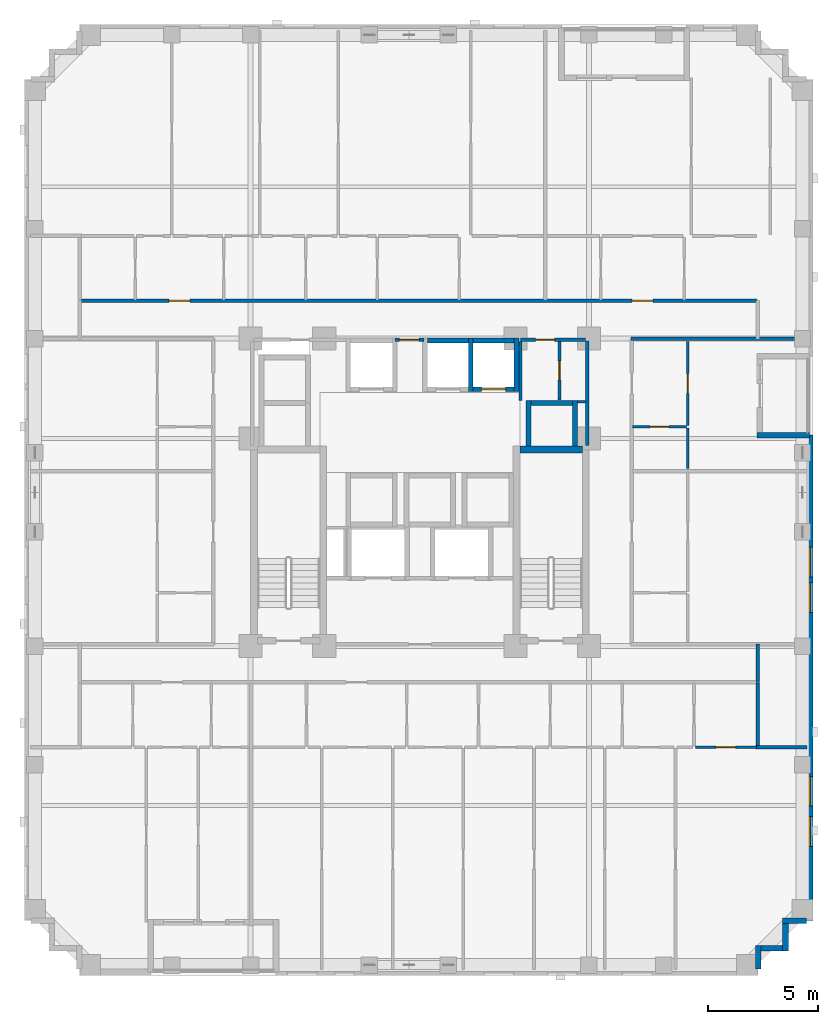
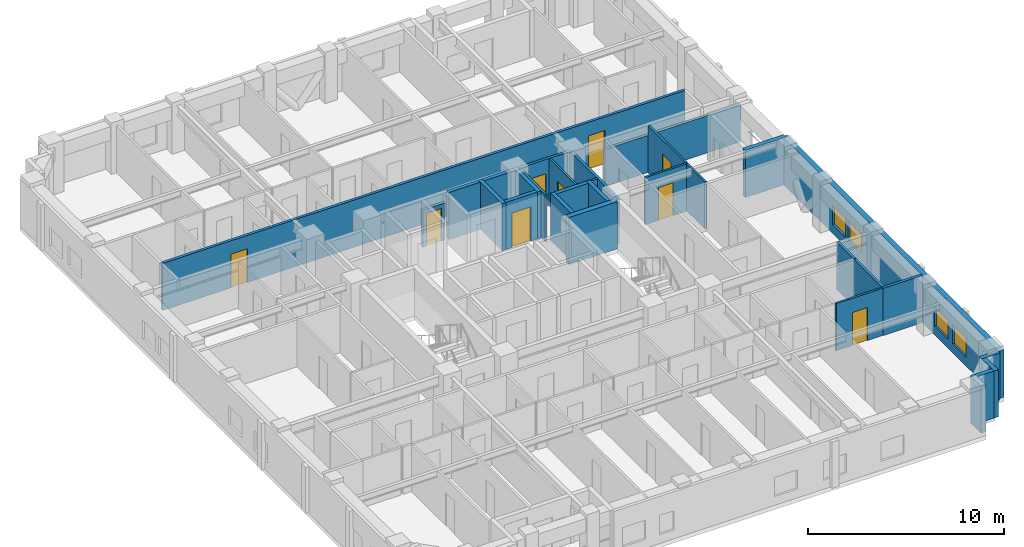
# One storey, part 6 of 12: 30 walls, 9 doors, 4 windows, 13 openings.
"""IFC4 building model written with IfcOpenShell, lengths in metres."""

from ifc_helpers import new_model, si_unit, derived_unit, direction, frame, frame_2d, origin, place, context, subcontext, project, spatial, rectangle, extrude, material, layer, layer_set, type_object, element, fill, save


model = new_model("IFC4")

# Units and contexts
model_context = context("Model", 3, precision=1e-05, world=origin(), true_north=direction((0.0, 1.0)))
body_context = subcontext(model_context, "Body", "Model", "MODEL_VIEW")
ifc_project = project(units=[si_unit("LENGTHUNIT", "METRE"), si_unit("AREAUNIT", "SQUARE_METRE"), si_unit("VOLUMEUNIT", "CUBIC_METRE"), si_unit("PLANEANGLEUNIT", "RADIAN"), si_unit("MASSUNIT", "GRAM", prefix="KILO"), derived_unit("THERMALTRANSMITTANCEUNIT", [(si_unit("MASSUNIT", "GRAM", prefix="KILO"), 1), (si_unit("TIMEUNIT", "SECOND"), -3), (si_unit("THERMODYNAMICTEMPERATUREUNIT", "KELVIN"), -1)])], contexts=[model_context])

# Site, building, storey
site_placement = place(None, origin())
site = spatial("IfcSite", under=ifc_project, at=site_placement, CompositionType="ELEMENT")
building_placement = place(site_placement, origin())
building = spatial("IfcBuilding", under=site, at=building_placement, Name="Korrvale Station Residences", CompositionType="ELEMENT")
storey_placement = place(building_placement, frame((0.0, 0.0, 110.300048828125)))
storey = spatial("IfcBuildingStorey", under=building, at=storey_placement, Name="L31", CompositionType="ELEMENT", Elevation=110.300048828125)

# Walls
ifc_material_1 = material(Name="Concrete C60/75", Category="concrete")
ifc_layer_1 = layer(ifc_material_1, 0.300048828125, Name="Concrete C60/75")
ifc_layer_set_1 = layer_set([ifc_layer_1], Name="Concrete C60/75")
wall_type_1 = type_object("IfcWallType", Name="WAL-CORE-300-C60", PredefinedType="SHEAR", material=ifc_layer_set_1)
wall_1_placement = place(storey_placement, frame((30.050048828125, 23.949951171875, 0.0), z_axis=(0.0, 0.0, 1.0), x_axis=(1.0, 0.0, 0.0)))
element("IfcWall", 1, at=wall_1_placement, inside=storey, type_object=wall_type_1, Name="L31 ST-2 Core Shear Wall North", PredefinedType="SHEAR", context=body_context, shape_type="SweptSolid", body=[
    extrude(rectangle(XDim=2.849853515625, YDim=0.300048828125, at=frame_2d((1.4248046875, 0.0))), origin(), (0.0, 0.0, 1.0), 2.93994140625),
])
ifc_material_2 = material(Name="Precast concrete C45/55", Category="concrete")
ifc_layer_2 = layer(ifc_material_2, 0.260009765625, Name="Precast concrete C45/55")
ifc_layer_set_2 = layer_set([ifc_layer_2], Name="Precast concrete C45/55")
wall_type_2 = type_object("IfcWallType", Name="WAL-EXT-LOG260", PredefinedType="SOLIDWALL", material=ifc_layer_set_2)
wall_2_placement = place(storey_placement, frame((40.840087890625, 24.60009765625, 0.0), z_axis=(0.0, 0.0, 1.0), x_axis=(1.0, 0.0, 0.0)))
element("IfcWall", 2, at=wall_2_placement, inside=storey, type_object=wall_type_2, Name="L31 Recessed Loggia Wall BAL-L31-E1-R", PredefinedType="SOLIDWALL", context=body_context, shape_type="SweptSolid", body=[
    extrude(rectangle(XDim=2.39990234375, YDim=0.260009765625, at=frame_2d((1.199951171875, 0.0))), origin(), (0.0, 0.0, 1.0), 2.93994140625),
])
wall_3_placement = place(storey_placement, frame((43.097900390625, 2.5, 0.0), z_axis=(0.0, 0.0, 1.0), x_axis=(-1.0, 0.0, 0.0)))
element("IfcWall", 3, at=wall_3_placement, inside=storey, type_object=wall_type_2, Name="L31 Serrated Corner Precast Step SE-1", PredefinedType="SOLIDWALL", context=body_context, shape_type="SweptSolid", body=[
    extrude(rectangle(XDim=1.077880859375, YDim=0.260009765625, at=frame_2d((0.5390625, 0.0))), origin(), (0.0, 0.0, 1.0), 2.93994140625),
])
wall_4_placement = place(storey_placement, frame((42.14990234375, 2.367919921875, 0.0), z_axis=(0.0, 0.0, 1.0), x_axis=(0.0, -1.0, 0.0)))
element("IfcWall", 4, at=wall_4_placement, inside=storey, type_object=wall_type_2, Name="L31 Serrated Corner Precast Step SE-2", PredefinedType="SOLIDWALL", context=body_context, shape_type="SweptSolid", body=[
    extrude(rectangle(XDim=1.247802734375, YDim=0.260009765625, at=frame_2d((0.6240234375, 0.0))), origin(), (0.0, 0.0, 1.0), 2.93994140625),
])
wall_5_placement = place(storey_placement, frame((42.01806640625, 1.25, 0.0), z_axis=(0.0, 0.0, 1.0), x_axis=(-1.0, 0.0, 0.0)))
element("IfcWall", 5, at=wall_5_placement, inside=storey, type_object=wall_type_2, Name="L31 Serrated Corner Precast Step SE-3", PredefinedType="SOLIDWALL", context=body_context, shape_type="SweptSolid", body=[
    extrude(rectangle(XDim=0.986083984375, YDim=0.260009765625, at=frame_2d((0.4931640625, 0.0))), origin(), (0.0, 0.0, 1.0), 2.93994140625),
])
wall_6_placement = place(storey_placement, frame((40.89990234375, 1.3798828125, 0.0), z_axis=(0.0, 0.0, 1.0), x_axis=(0.0, -1.0, 0.0)))
element("IfcWall", 6, at=wall_6_placement, inside=storey, type_object=wall_type_2, Name="L31 Serrated Corner Precast Step SE-4", PredefinedType="SOLIDWALL", context=body_context, shape_type="SweptSolid", body=[
    extrude(rectangle(XDim=1.077880859375, YDim=0.260009765625, at=frame_2d((0.5390625, 0.0))), origin(), (0.0, 0.0, 1.0), 2.93994140625),
])

# Wall, openings, windows
ifc_layer_3 = layer(ifc_material_2, 0.300048828125, Name="Precast concrete C45/55")
ifc_layer_set_3 = layer_set([ifc_layer_3], Name="Precast concrete C45/55")
wall_type_3 = type_object("IfcWallType", Name="WAL-EXT-PC300", PredefinedType="SOLIDWALL", material=ifc_layer_set_3)
wall_7_placement = place(storey_placement, frame((43.25, 24.60009765625, 0.0), z_axis=(0.0, 0.0, 1.0), x_axis=(0.0, -1.0, 0.0)))
wall_7 = element("IfcWall", 7, at=wall_7_placement, inside=storey, type_object=wall_type_3, Name="L31 East Exterior Precast Wall 2", PredefinedType="SOLIDWALL", context=body_context, shape_type="SweptSolid", body=[
    extrude(rectangle(XDim=22.10009765625, YDim=0.300048828125, at=frame_2d((11.050048828125, 0.0))), origin(), (0.0, 0.0, 1.0), 2.93994140625),
])
opening_1_placement = place(wall_7_placement, frame((17.365966796875, 0.0, 0.550048828125)))
opening_1 = element("IfcOpeningElement", 8, at=opening_1_placement, cuts=wall_7, Name="Opening W-10", PredefinedType="OPENING", context=body_context, shape_type="SweptSolid", body=[
    extrude(rectangle(XDim=1.35009765625, YDim=1.199951171875, at=frame_2d((0.675048828125, 0.60009765625))), frame((0.0, 0.16015625, 0.0), z_axis=(0.0, -1.0, 0.0), x_axis=(1.0, 0.0, 0.0)), (0.0, 0.0, 1.0), 0.320068359375),
])
opening_2_placement = place(wall_7_placement, frame((15.534912109375, 0.0, 0.550048828125)))
opening_2 = element("IfcOpeningElement", 9, at=opening_2_placement, cuts=wall_7, Name="Opening W-10", PredefinedType="OPENING", context=body_context, shape_type="SweptSolid", body=[
    extrude(rectangle(XDim=1.35009765625, YDim=1.199951171875, at=frame_2d((0.675048828125, 0.60009765625))), frame((0.0, 0.16015625, 0.0), z_axis=(0.0, -1.0, 0.0), x_axis=(1.0, 0.0, 0.0)), (0.0, 0.0, 1.0), 0.320068359375),
])
opening_3_placement = place(wall_7_placement, frame((5.10009765625, 0.0, 0.550048828125)))
opening_3 = element("IfcOpeningElement", 10, at=opening_3_placement, cuts=wall_7, Name="Opening W-10", PredefinedType="OPENING", context=body_context, shape_type="SweptSolid", body=[
    extrude(rectangle(XDim=1.35009765625, YDim=1.199951171875, at=frame_2d((0.675048828125, 0.60009765625))), frame((0.0, 0.16015625, 0.0), z_axis=(0.0, -1.0, 0.0), x_axis=(1.0, 0.0, 0.0)), (0.0, 0.0, 1.0), 0.320068359375),
])
opening_4_placement = place(wall_7_placement, frame((6.7099609375, 0.0, 0.550048828125)))
opening_4 = element("IfcOpeningElement", 11, at=opening_4_placement, cuts=wall_7, Name="Opening W-10", PredefinedType="OPENING", context=body_context, shape_type="SweptSolid", body=[
    extrude(rectangle(XDim=1.35009765625, YDim=1.199951171875, at=frame_2d((0.675048828125, 0.60009765625))), frame((0.0, 0.16015625, 0.0), z_axis=(0.0, -1.0, 0.0), x_axis=(1.0, 0.0, 0.0)), (0.0, 0.0, 1.0), 0.320068359375),
])
ifc_material_3 = material(Name="Thermally broken aluminium frame with triple low-e glazing", Category="aluminium")
window_type = type_object("IfcWindowType", Name="WIN-W10", PartitioningType="SINGLE_PANEL", PredefinedType="WINDOW", material=ifc_material_3)
window_1_placement = place(opening_1_placement, origin())
window_1 = element("IfcWindow", 12, at=window_1_placement, inside=storey, type_object=window_type, Name="L31 Punched Window 10", OverallHeight=1.199951171875, OverallWidth=1.35009765625, PartitioningType="SINGLE_PANEL", PredefinedType="WINDOW", context=body_context, shape_type="SweptSolid", body=[
    extrude(rectangle(XDim=1.35009765625, YDim=1.199951171875, at=frame_2d((0.675048828125, 0.60009765625))), frame((0.0, 0.030029296875, 0.0), z_axis=(0.0, -1.0, 0.0), x_axis=(1.0, 0.0, 0.0)), (0.0, 0.0, 1.0), 0.06005859375),
])
fill(opening_1, window_1)
window_2_placement = place(opening_2_placement, origin())
window_2 = element("IfcWindow", 13, at=window_2_placement, inside=storey, type_object=window_type, Name="L31 Punched Window 11", OverallHeight=1.199951171875, OverallWidth=1.35009765625, PartitioningType="SINGLE_PANEL", PredefinedType="WINDOW", context=body_context, shape_type="SweptSolid", body=[
    extrude(rectangle(XDim=1.35009765625, YDim=1.199951171875, at=frame_2d((0.675048828125, 0.60009765625))), frame((0.0, 0.030029296875, 0.0), z_axis=(0.0, -1.0, 0.0), x_axis=(1.0, 0.0, 0.0)), (0.0, 0.0, 1.0), 0.06005859375),
])
fill(opening_2, window_2)
window_3_placement = place(opening_3_placement, origin())
window_3 = element("IfcWindow", 14, at=window_3_placement, inside=storey, type_object=window_type, Name="L31 Punched Window 23", OverallHeight=1.199951171875, OverallWidth=1.35009765625, PartitioningType="SINGLE_PANEL", PredefinedType="WINDOW", context=body_context, shape_type="SweptSolid", body=[
    extrude(rectangle(XDim=1.35009765625, YDim=1.199951171875, at=frame_2d((0.675048828125, 0.60009765625))), frame((0.0, 0.030029296875, 0.0), z_axis=(0.0, -1.0, 0.0), x_axis=(1.0, 0.0, 0.0)), (0.0, 0.0, 1.0), 0.06005859375),
])
fill(opening_3, window_3)
window_4_placement = place(opening_4_placement, origin())
window_4 = element("IfcWindow", 15, at=window_4_placement, inside=storey, type_object=window_type, Name="L31 Punched Window 24", OverallHeight=1.199951171875, OverallWidth=1.35009765625, PartitioningType="SINGLE_PANEL", PredefinedType="WINDOW", context=body_context, shape_type="SweptSolid", body=[
    extrude(rectangle(XDim=1.35009765625, YDim=1.199951171875, at=frame_2d((0.675048828125, 0.60009765625))), frame((0.0, 0.030029296875, 0.0), z_axis=(0.0, -1.0, 0.0), x_axis=(1.0, 0.0, 0.0)), (0.0, 0.0, 1.0), 0.06005859375),
])
fill(opening_4, window_4)

# Walls
ifc_material_4 = material(Name="Acoustic steel-stud gypsum board partition", Category="steel")
ifc_layer_4 = layer(ifc_material_4, 0.1201171875, Name="Acoustic steel-stud gypsum board partition")
ifc_layer_set_4 = layer_set([ifc_layer_4], Name="Acoustic steel-stud gypsum board partition")
wall_type_4 = type_object("IfcWallType", Name="WAL-PART-125", PredefinedType="PARTITIONING", material=ifc_layer_set_4)
wall_8_placement = place(storey_placement, frame((30.080078125, 26.179931640625, 0.0), z_axis=(0.0, 0.0, 1.0), x_axis=(0.0, 1.0, 0.0)))
element("IfcWall", 16, at=wall_8_placement, inside=storey, type_object=wall_type_4, Name="L31 Core Partition CW-CS-W", PredefinedType="PARTITIONING", context=body_context, shape_type="SweptSolid", body=[
    extrude(rectangle(XDim=2.68017578125, YDim=0.1201171875, at=frame_2d((1.340087890625, 0.0))), origin(), (0.0, 0.0, 1.0), 2.93994140625),
])
wall_9_placement = place(storey_placement, frame((32.679931640625, 26.1201171875, 0.0), z_axis=(0.0, 0.0, 1.0), x_axis=(1.0, 0.0, 0.0)))
element("IfcWall", 17, at=wall_9_placement, inside=storey, type_object=wall_type_4, Name="L31 Core Partition CW-CS-S", PredefinedType="PARTITIONING", context=body_context, shape_type="SweptSolid", body=[
    extrude(rectangle(XDim=0.380126953125, YDim=0.1201171875, at=frame_2d((0.18994140625, 0.0))), origin(), (0.0, 0.0, 1.0), 2.93994140625),
])

# Wall, opening, door
wall_10_placement = place(storey_placement, frame((31.860107421875, 26.199951171875, 0.0), z_axis=(0.0, 0.0, 1.0), x_axis=(0.0, 1.0, 0.0)))
wall_10 = element("IfcWall", 18, at=wall_10_placement, inside=storey, type_object=wall_type_4, Name="L31 Core Partition CW-CS-MID", PredefinedType="PARTITIONING", context=body_context, shape_type="SweptSolid", body=[
    extrude(rectangle(XDim=2.66015625, YDim=0.1201171875, at=frame_2d((1.330078125, 0.0))), origin(), (0.0, 0.0, 1.0), 2.93994140625),
])
opening_5_placement = place(wall_10_placement, frame((0.919921875, 0.0, 0.0)))
opening_5 = element("IfcOpeningElement", 19, at=opening_5_placement, cuts=wall_10, Name="Opening DB-860", PredefinedType="OPENING", context=body_context, shape_type="SweptSolid", body=[
    extrude(rectangle(XDim=0.860107421875, YDim=2.050048828125, at=frame_2d((0.43017578125, 1.02490234375))), frame((0.0, 0.070068359375, 0.0), z_axis=(0.0, -1.0, 0.0), x_axis=(1.0, 0.0, 0.0)), (0.0, 0.0, 1.0), 0.14013671875),
])
ifc_material_5 = material(Name="Moisture-resistant solid-core bathroom door", Category="timber")
door_type_1 = type_object("IfcDoorType", Name="DR-BATH-860", OperationType="NOTDEFINED", PredefinedType="DOOR", material=ifc_material_5)
door_1_placement = place(opening_5_placement, origin())
door_1 = element("IfcDoor", 20, at=door_1_placement, inside=storey, type_object=door_type_1, Name="L31 Metering Inner Door", OperationType="SINGLE_SWING_RIGHT", OverallHeight=2.050048828125, OverallWidth=0.860107421875, PredefinedType="DOOR", context=body_context, shape_type="SweptSolid", body=[
    extrude(rectangle(XDim=0.860107421875, YDim=2.050048828125, at=frame_2d((0.43017578125, 1.02490234375))), frame((0.0, 0.02490234375, 0.0), z_axis=(0.0, -1.0, 0.0), x_axis=(1.0, 0.0, 0.0)), (0.0, 0.0, 1.0), 0.050048828125),
])
fill(opening_5, door_1)

wall_11_placement = place(storey_placement, frame((38.0400390625, 10.39990234375, 0.0), z_axis=(0.0, 0.0, 1.0), x_axis=(1.0, 0.0, 0.0)))
wall_11 = element("IfcWall", 21, at=wall_11_placement, inside=storey, type_object=wall_type_4, Name="L31 Suite Partition U02-H613", PredefinedType="PARTITIONING", context=body_context, shape_type="SweptSolid", body=[
    extrude(rectangle(XDim=2.780029296875, YDim=0.1201171875, at=frame_2d((1.39013671875, 0.0))), origin(), (0.0, 0.0, 1.0), 2.93994140625),
])
opening_6_placement = place(wall_11_placement, frame((0.93994140625, 0.0, 0.0)))
opening_6 = element("IfcOpeningElement", 22, at=opening_6_placement, cuts=wall_11, Name="Opening DI-900", PredefinedType="OPENING", context=body_context, shape_type="SweptSolid", body=[
    extrude(rectangle(XDim=0.89990234375, YDim=2.050048828125, at=frame_2d((0.449951171875, 1.02490234375))), frame((0.0, 0.070068359375, 0.0), z_axis=(0.0, -1.0, 0.0), x_axis=(1.0, 0.0, 0.0)), (0.0, 0.0, 1.0), 0.14013671875),
])
ifc_material_6 = material(Name="Painted solid-core timber interior room door", Category="wood")
door_type_2 = type_object("IfcDoorType", Name="DR-INT-900", OperationType="NOTDEFINED", PredefinedType="DOOR", material=ifc_material_6)
door_2_placement = place(opening_6_placement, origin())
door_2 = element("IfcDoor", 23, at=door_2_placement, inside=storey, type_object=door_type_2, Name="L31 Studio Apartment L31-U02 Utility and Laundry Room Door", OperationType="SINGLE_SWING_LEFT", OverallHeight=2.050048828125, OverallWidth=0.89990234375, PredefinedType="DOOR", context=body_context, shape_type="SweptSolid", body=[
    extrude(rectangle(XDim=0.89990234375, YDim=2.050048828125, at=frame_2d((0.449951171875, 1.02490234375))), frame((0.0, 0.02490234375, 0.0), z_axis=(0.0, -1.0, 0.0), x_axis=(1.0, 0.0, 0.0)), (0.0, 0.0, 1.0), 0.050048828125),
])
fill(opening_6, door_2)

wall_12_placement = place(storey_placement, frame((35.18994140625, 24.991943359375, 0.0), z_axis=(0.0, 0.0, 1.0), x_axis=(1.0, 0.0, 0.0)))
wall_12 = element("IfcWall", 24, at=wall_12_placement, inside=storey, type_object=wall_type_4, Name="L31 Suite Partition U08-H01", PredefinedType="PARTITIONING", context=body_context, shape_type="SweptSolid", body=[
    extrude(rectangle(XDim=2.449951171875, YDim=0.1201171875, at=frame_2d((1.22509765625, 0.0))), origin(), (0.0, 0.0, 1.0), 2.93994140625),
])
opening_7_placement = place(wall_12_placement, frame((0.794921875, 0.0, 0.0)))
opening_7 = element("IfcOpeningElement", 25, at=opening_7_placement, cuts=wall_12, Name="Opening DB-860", PredefinedType="OPENING", context=body_context, shape_type="SweptSolid", body=[
    extrude(rectangle(XDim=0.860107421875, YDim=2.050048828125, at=frame_2d((0.43017578125, 1.02490234375))), frame((0.0, 0.070068359375, 0.0), z_axis=(0.0, -1.0, 0.0), x_axis=(1.0, 0.0, 0.0)), (0.0, 0.0, 1.0), 0.14013671875),
])
door_3_placement = place(opening_7_placement, origin())
door_3 = element("IfcDoor", 26, at=door_3_placement, inside=storey, type_object=door_type_1, Name="L31 Studio Apartment L31-U08 Bathroom Door", OperationType="SINGLE_SWING_LEFT", OverallHeight=2.050048828125, OverallWidth=0.860107421875, PredefinedType="DOOR", context=body_context, shape_type="SweptSolid", body=[
    extrude(rectangle(XDim=0.860107421875, YDim=2.050048828125, at=frame_2d((0.43017578125, 1.02490234375))), frame((0.0, 0.02490234375, 0.0), z_axis=(0.0, -1.0, 0.0), x_axis=(1.0, 0.0, 0.0)), (0.0, 0.0, 1.0), 0.050048828125),
])
fill(opening_7, door_3)

# Wall
wall_13_placement = place(storey_placement, frame((37.699951171875, 23.08203125, 0.0), z_axis=(0.0, 0.0, 1.0), x_axis=(0.0, 1.0, 0.0)))
element("IfcWall", 27, at=wall_13_placement, inside=storey, type_object=wall_type_4, Name="L31 Suite Partition U08-V02", PredefinedType="PARTITIONING", context=body_context, shape_type="SweptSolid", body=[
    extrude(rectangle(XDim=1.849853515625, YDim=0.1201171875, at=frame_2d((0.9248046875, 0.0))), origin(), (0.0, 0.0, 1.0), 2.93994140625),
])

# Wall, opening, door
wall_14_placement = place(storey_placement, frame((37.699951171875, 25.052001953125, 0.0), z_axis=(0.0, 0.0, 1.0), x_axis=(0.0, 1.0, 0.0)))
wall_14 = element("IfcWall", 28, at=wall_14_placement, inside=storey, type_object=wall_type_4, Name="L31 Suite Partition U08-V12", PredefinedType="PARTITIONING", context=body_context, shape_type="SweptSolid", body=[
    extrude(rectangle(XDim=3.80810546875, YDim=0.1201171875, at=frame_2d((1.904052734375, 0.0))), origin(), (0.0, 0.0, 1.0), 2.93994140625),
])
opening_8_placement = place(wall_14_placement, frame((1.4541015625, 0.0, 0.0)))
opening_8 = element("IfcOpeningElement", 29, at=opening_8_placement, cuts=wall_14, Name="Opening DI-900", PredefinedType="OPENING", context=body_context, shape_type="SweptSolid", body=[
    extrude(rectangle(XDim=0.89990234375, YDim=2.050048828125, at=frame_2d((0.449951171875, 1.02490234375))), frame((0.0, 0.070068359375, 0.0), z_axis=(0.0, -1.0, 0.0), x_axis=(1.0, 0.0, 0.0)), (0.0, 0.0, 1.0), 0.14013671875),
])
door_4_placement = place(opening_8_placement, origin())
door_4 = element("IfcDoor", 30, at=door_4_placement, inside=storey, type_object=door_type_2, Name="L31 Studio Apartment L31-U08 Kitchen Door", OperationType="SINGLE_SWING_RIGHT", OverallHeight=2.050048828125, OverallWidth=0.89990234375, PredefinedType="DOOR", context=body_context, shape_type="SweptSolid", body=[
    extrude(rectangle(XDim=0.89990234375, YDim=2.050048828125, at=frame_2d((0.449951171875, 1.02490234375))), frame((0.0, 0.02490234375, 0.0), z_axis=(0.0, -1.0, 0.0), x_axis=(1.0, 0.0, 0.0)), (0.0, 0.0, 1.0), 0.050048828125),
])
fill(opening_8, door_4)

# Wall
ifc_material_7 = material(Name="Fire-rated twin-stud gypsum and mineral wool shaftwall assembly", Category="gypsum")
ifc_layer_5 = layer(ifc_material_7, 0.159912109375, Name="Fire-rated twin-stud gypsum and mineral wool shaftwall assembly")
ifc_layer_set_5 = layer_set([ifc_layer_5], Name="Fire-rated twin-stud gypsum and mineral wool shaftwall assembly")
wall_type_5 = type_object("IfcWallType", Name="WAL-PART-200", PredefinedType="PARTITIONING", material=ifc_layer_set_5)
wall_15_placement = place(storey_placement, frame((33.1201171875, 24.1201171875, 0.0), z_axis=(0.0, 0.0, 1.0), x_axis=(0.0, 1.0, 0.0)))
element("IfcWall", 31, at=wall_15_placement, inside=storey, type_object=wall_type_5, Name="L31 Core Partition CW-E-N", PredefinedType="PARTITIONING", context=body_context, shape_type="SweptSolid", body=[
    extrude(rectangle(XDim=4.759765625, YDim=0.159912109375, at=frame_2d((2.3798828125, 0.0))), origin(), (0.0, 0.0, 1.0), 2.93994140625),
])

# Wall, opening, door
wall_16_placement = place(storey_placement, frame((24.360107421875, 28.949951171875, 0.0), z_axis=(0.0, 0.0, 1.0), x_axis=(1.0, 0.0, 0.0)))
wall_16 = element("IfcWall", 32, at=wall_16_placement, inside=storey, type_object=wall_type_5, Name="L31 Core Partition CW-LLOB-N", PredefinedType="PARTITIONING", context=body_context, shape_type="SweptSolid", body=[
    extrude(rectangle(XDim=1.31982421875, YDim=0.159912109375, at=frame_2d((0.659912109375, 0.0))), origin(), (0.0, 0.0, 1.0), 2.31298828125),
])
opening_9_placement = place(wall_16_placement, frame((0.2099609375, 0.0, 0.0)))
opening_9 = element("IfcOpeningElement", 33, at=opening_9_placement, cuts=wall_16, Name="Opening DI-900", PredefinedType="OPENING", context=body_context, shape_type="SweptSolid", body=[
    extrude(rectangle(XDim=0.89990234375, YDim=2.050048828125, at=frame_2d((0.449951171875, 1.02490234375))), frame((0.0, 0.08984375, 0.0), z_axis=(0.0, -1.0, 0.0), x_axis=(1.0, 0.0, 0.0)), (0.0, 0.0, 1.0), 0.179931640625),
])
door_5_placement = place(opening_9_placement, origin())
door_5 = element("IfcDoor", 34, at=door_5_placement, inside=storey, type_object=door_type_2, Name="L31 Central Hallway North Passage Door", OperationType="SINGLE_SWING_RIGHT", OverallHeight=2.050048828125, OverallWidth=0.89990234375, PredefinedType="DOOR", context=body_context, shape_type="SweptSolid", body=[
    extrude(rectangle(XDim=0.89990234375, YDim=2.050048828125, at=frame_2d((0.449951171875, 1.02490234375))), frame((0.0, 0.02490234375, 0.0), z_axis=(0.0, -1.0, 0.0), x_axis=(1.0, 0.0, 0.0)), (0.0, 0.0, 1.0), 0.050048828125),
])
fill(opening_9, door_5)

wall_17_placement = place(storey_placement, frame((30.080078125, 28.949951171875, 0.0), z_axis=(0.0, 0.0, 1.0), x_axis=(1.0, 0.0, 0.0)))
wall_17 = element("IfcWall", 35, at=wall_17_placement, inside=storey, type_object=wall_type_5, Name="L31 Core Partition CW-CS-N", PredefinedType="PARTITIONING", context=body_context, shape_type="SweptSolid", body=[
    extrude(rectangle(XDim=2.9599609375, YDim=0.159912109375, at=frame_2d((1.47998046875, 0.0))), origin(), (0.0, 0.0, 1.0), 2.93994140625),
])
opening_10_placement = place(wall_17_placement, frame((0.695068359375, 0.0, 0.0)))
opening_10 = element("IfcOpeningElement", 36, at=opening_10_placement, cuts=wall_17, Name="Opening DB-860", PredefinedType="OPENING", context=body_context, shape_type="SweptSolid", body=[
    extrude(rectangle(XDim=0.860107421875, YDim=2.050048828125, at=frame_2d((0.43017578125, 1.02490234375))), frame((0.0, 0.08984375, 0.0), z_axis=(0.0, -1.0, 0.0), x_axis=(1.0, 0.0, 0.0)), (0.0, 0.0, 1.0), 0.179931640625),
])
door_6_placement = place(opening_10_placement, origin())
door_6 = element("IfcDoor", 37, at=door_6_placement, inside=storey, type_object=door_type_1, Name="L31 Housekeeping Supply Door", OperationType="SINGLE_SWING_LEFT", OverallHeight=2.050048828125, OverallWidth=0.860107421875, PredefinedType="DOOR", context=body_context, shape_type="SweptSolid", body=[
    extrude(rectangle(XDim=0.860107421875, YDim=2.050048828125, at=frame_2d((0.43017578125, 1.02490234375))), frame((0.0, 0.02490234375, 0.0), z_axis=(0.0, -1.0, 0.0), x_axis=(1.0, 0.0, 0.0)), (0.0, 0.0, 1.0), 0.050048828125),
])
fill(opening_10, door_6)

# Walls
wall_18_placement = place(storey_placement, frame((40.8798828125, 13.35009765625, 0.0), z_axis=(0.0, 0.0, 1.0), x_axis=(0.0, 1.0, 0.0)))
element("IfcWall", 38, at=wall_18_placement, inside=storey, type_object=wall_type_5, Name="L31 Corridor South East Cap", PredefinedType="PARTITIONING", context=body_context, shape_type="SweptSolid", body=[
    extrude(rectangle(XDim=1.739990234375, YDim=0.159912109375, at=frame_2d((0.8701171875, 0.0))), origin(), (0.0, 0.0, 1.0), 2.93994140625),
])
wall_19_placement = place(storey_placement, frame((35.110107421875, 28.97998046875, 0.0), z_axis=(0.0, 0.0, 1.0), x_axis=(1.0, 0.0, 0.0)))
element("IfcWall", 39, at=wall_19_placement, inside=storey, type_object=wall_type_5, Name="L31 East Wing North Corridor Wall", PredefinedType="PARTITIONING", context=body_context, shape_type="SweptSolid", body=[
    extrude(rectangle(XDim=8.010009765625, YDim=0.159912109375, at=frame_2d((4.0048828125, 0.0))), origin(), (0.0, 0.0, 1.0), 2.31298828125),
])
wall_20_placement = place(storey_placement, frame((40.780029296875, 10.39990234375, 0.0), z_axis=(0.0, 0.0, 1.0), x_axis=(1.0, 0.0, 0.0)))
element("IfcWall", 40, at=wall_20_placement, inside=storey, type_object=wall_type_5, Name="L31 Corner Step Wall U02-R", PredefinedType="PARTITIONING", context=body_context, shape_type="SweptSolid", body=[
    extrude(rectangle(XDim=2.340087890625, YDim=0.159912109375, at=frame_2d((1.169921875, 0.0))), origin(), (0.0, 0.0, 1.0), 2.93994140625),
])
wall_21_placement = place(storey_placement, frame((40.8798828125, 10.39990234375, 0.0), z_axis=(0.0, 0.0, 1.0), x_axis=(0.0, 1.0, 0.0)))
element("IfcWall", 41, at=wall_21_placement, inside=storey, type_object=wall_type_5, Name="L31 Corner Step Cheek U02-R", PredefinedType="PARTITIONING", context=body_context, shape_type="SweptSolid", body=[
    extrude(rectangle(XDim=2.91015625, YDim=0.159912109375, at=frame_2d((1.455078125, 0.0))), origin(), (0.0, 0.0, 1.0), 2.93994140625),
])

# Wall, openings, doors
wall_22_placement = place(storey_placement, frame((10.050048828125, 30.719970703125, 0.0), z_axis=(0.0, 0.0, 1.0), x_axis=(1.0, 0.0, 0.0)))
wall_22 = element("IfcWall", 42, at=wall_22_placement, inside=storey, type_object=wall_type_5, Name="L31 Rated Corridor Wall N", PredefinedType="PARTITIONING", context=body_context, shape_type="SweptSolid", body=[
    extrude(rectangle(XDim=30.800048828125, YDim=0.159912109375, at=frame_2d((15.39990234375, 0.0))), origin(), (0.0, 0.0, 1.0), 2.93994140625),
])
opening_11_placement = place(wall_22_placement, frame((4.034912109375, 0.0, 0.0)))
opening_11 = element("IfcOpeningElement", 43, at=opening_11_placement, cuts=wall_22, Name="Opening UD-950", PredefinedType="OPENING", context=body_context, shape_type="SweptSolid", body=[
    extrude(rectangle(XDim=0.949951171875, YDim=2.10009765625, at=frame_2d((0.47509765625, 1.050048828125))), frame((0.0, 0.08984375, 0.0), z_axis=(0.0, -1.0, 0.0), x_axis=(1.0, 0.0, 0.0)), (0.0, 0.0, 1.0), 0.179931640625),
])
opening_12_placement = place(wall_22_placement, frame((25.110107421875, 0.0, 0.0)))
opening_12 = element("IfcOpeningElement", 44, at=opening_12_placement, cuts=wall_22, Name="Opening UD-950", PredefinedType="OPENING", context=body_context, shape_type="SweptSolid", body=[
    extrude(rectangle(XDim=0.949951171875, YDim=2.10009765625, at=frame_2d((0.47509765625, 1.050048828125))), frame((0.0, 0.08984375, 0.0), z_axis=(0.0, -1.0, 0.0), x_axis=(1.0, 0.0, 0.0)), (0.0, 0.0, 1.0), 0.179931640625),
])
ifc_material_8 = material(Name="Solid-core acoustic oak apartment entrance door", Category="timber")
door_type_3 = type_object("IfcDoorType", Name="DR-UNIT-950", OperationType="NOTDEFINED", PredefinedType="DOOR", material=ifc_material_8)
door_7_placement = place(opening_11_placement, origin())
door_7 = element("IfcDoor", 45, at=door_7_placement, inside=storey, type_object=door_type_3, Name="L31 Apartment L31-U03 Entrance Door", OperationType="SINGLE_SWING_LEFT", OverallHeight=2.10009765625, OverallWidth=0.949951171875, PredefinedType="DOOR", context=body_context, shape_type="SweptSolid", body=[
    extrude(rectangle(XDim=0.949951171875, YDim=2.10009765625, at=frame_2d((0.47509765625, 1.050048828125))), frame((0.0, 0.02490234375, 0.0), z_axis=(0.0, -1.0, 0.0), x_axis=(1.0, 0.0, 0.0)), (0.0, 0.0, 1.0), 0.050048828125),
])
fill(opening_11, door_7)
door_8_placement = place(opening_12_placement, origin())
door_8 = element("IfcDoor", 46, at=door_8_placement, inside=storey, type_object=door_type_3, Name="L31 Apartment L31-U04 Entrance Door", OperationType="SINGLE_SWING_RIGHT", OverallHeight=2.10009765625, OverallWidth=0.949951171875, PredefinedType="DOOR", context=body_context, shape_type="SweptSolid", body=[
    extrude(rectangle(XDim=0.949951171875, YDim=2.10009765625, at=frame_2d((0.47509765625, 1.050048828125))), frame((0.0, 0.02490234375, 0.0), z_axis=(0.0, -1.0, 0.0), x_axis=(1.0, 0.0, 0.0)), (0.0, 0.0, 1.0), 0.050048828125),
])
fill(opening_12, door_8)

# Walls
ifc_layer_6 = layer(ifc_material_1, 0.219970703125, Name="Concrete C60/75")
ifc_layer_set_6 = layer_set([ifc_layer_6], Name="Concrete C60/75")
wall_type_6 = type_object("IfcWallType", Name="WAL-SHAFT-220-C60", PredefinedType="SHEAR", material=ifc_layer_set_6)
wall_23_placement = place(storey_placement, frame((25.85009765625, 28.909912109375, 0.0), z_axis=(0.0, 0.0, 1.0), x_axis=(1.0, 0.0, 0.0)))
element("IfcWall", 47, at=wall_23_placement, inside=storey, type_object=wall_type_6, Name="L31 Elevator PL-2 Hoistway Wall North", PredefinedType="SHEAR", context=body_context, shape_type="SweptSolid", body=[
    extrude(rectangle(XDim=1.85986328125, YDim=0.219970703125, at=frame_2d((0.929931640625, 0.0))), origin(), (0.0, 0.0, 1.0), 2.93994140625),
])
wall_24_placement = place(storey_placement, frame((27.820068359375, 26.580078125, 0.0), z_axis=(0.0, 0.0, 1.0), x_axis=(0.0, 1.0, 0.0)))
element("IfcWall", 48, at=wall_24_placement, inside=storey, type_object=wall_type_6, Name="L31 Elevator PL-2 Hoistway Wall East", PredefinedType="SHEAR", context=body_context, shape_type="SweptSolid", body=[
    extrude(rectangle(XDim=2.43994140625, YDim=0.219970703125, at=frame_2d((1.219970703125, 0.0))), origin(), (0.0, 0.0, 1.0), 2.93994140625),
])

# Wall, opening, door
wall_25_placement = place(storey_placement, frame((27.929931640625, 26.68994140625, 0.0), z_axis=(0.0, 0.0, 1.0), x_axis=(1.0, 0.0, 0.0)))
wall_25 = element("IfcWall", 49, at=wall_25_placement, inside=storey, type_object=wall_type_6, Name="L31 Elevator PL-3 Hoistway Wall South", PredefinedType="SHEAR", context=body_context, shape_type="SweptSolid", body=[
    extrude(rectangle(XDim=1.860107421875, YDim=0.219970703125, at=frame_2d((0.93017578125, 0.0))), origin(), (0.0, 0.0, 1.0), 2.93994140625),
])
opening_13_placement = place(wall_25_placement, frame((0.3798828125, 0.0, 0.0)))
opening_13 = element("IfcOpeningElement", 50, at=opening_13_placement, cuts=wall_25, Name="Opening LD-1100", PredefinedType="OPENING", context=body_context, shape_type="SweptSolid", body=[
    extrude(rectangle(XDim=1.10009765625, YDim=2.14990234375, at=frame_2d((0.550048828125, 1.074951171875))), frame((0.0, 0.1201171875, 0.0), z_axis=(0.0, -1.0, 0.0), x_axis=(1.0, 0.0, 0.0)), (0.0, 0.0, 1.0), 0.239990234375),
])
ifc_material_9 = material(Name="Brushed stainless-steel elevator landing sliding door", Category="steel")
door_type_4 = type_object("IfcDoorType", Name="DR-LIFT-1100", OperationType="SLIDING_TO_LEFT", PredefinedType="DOOR", material=ifc_material_9)
door_9_placement = place(opening_13_placement, origin())
door_9 = element("IfcDoor", 51, at=door_9_placement, inside=storey, type_object=door_type_4, Name="L31 Elevator PL-3 Sliding Landing Door", OperationType="SLIDING_TO_LEFT", OverallHeight=2.14990234375, OverallWidth=1.10009765625, PredefinedType="DOOR", context=body_context, shape_type="SweptSolid", body=[
    extrude(rectangle(XDim=1.10009765625, YDim=2.14990234375, at=frame_2d((0.550048828125, 1.074951171875))), frame((0.0, 0.02490234375, 0.0), z_axis=(0.0, -1.0, 0.0), x_axis=(1.0, 0.0, 0.0)), (0.0, 0.0, 1.0), 0.050048828125),
])
fill(opening_13, door_9)

# Walls
wall_26_placement = place(storey_placement, frame((27.929931640625, 28.909912109375, 0.0), z_axis=(0.0, 0.0, 1.0), x_axis=(1.0, 0.0, 0.0)))
element("IfcWall", 52, at=wall_26_placement, inside=storey, type_object=wall_type_6, Name="L31 Elevator PL-3 Hoistway Wall North", PredefinedType="SHEAR", context=body_context, shape_type="SweptSolid", body=[
    extrude(rectangle(XDim=1.860107421875, YDim=0.219970703125, at=frame_2d((0.93017578125, 0.0))), origin(), (0.0, 0.0, 1.0), 2.93994140625),
])
wall_27_placement = place(storey_placement, frame((29.89990234375, 26.580078125, 0.0), z_axis=(0.0, 0.0, 1.0), x_axis=(0.0, 1.0, 0.0)))
element("IfcWall", 53, at=wall_27_placement, inside=storey, type_object=wall_type_6, Name="L31 Elevator PL-3 Hoistway Wall East", PredefinedType="SHEAR", context=body_context, shape_type="SweptSolid", body=[
    extrude(rectangle(XDim=2.43994140625, YDim=0.219970703125, at=frame_2d((1.219970703125, 0.0))), origin(), (0.0, 0.0, 1.0), 2.93994140625),
])
wall_28_placement = place(storey_placement, frame((30.550048828125, 26.06005859375, 0.0), z_axis=(0.0, 0.0, 1.0), x_axis=(1.0, 0.0, 0.0)))
element("IfcWall", 54, at=wall_28_placement, inside=storey, type_object=wall_type_6, Name="L31 Elevator PH-3 Hoistway Wall North", PredefinedType="SHEAR", context=body_context, shape_type="SweptSolid", body=[
    extrude(rectangle(XDim=1.89990234375, YDim=0.219970703125, at=frame_2d((0.949951171875, 0.0))), origin(), (0.0, 0.0, 1.0), 2.93994140625),
])
for number, where, z_axis, x_axis, name in (
    (55, (30.43994140625, 24.10009765625, 0.0), (0.0, 0.0, 1.0), (0.0, 1.0, 0.0), "L31 Elevator PH-3 Hoistway Wall West"),
    (56, (32.56005859375, 24.10009765625, 0.0), (0.0, 0.0, 1.0), (0.0, 1.0, 0.0), "L31 Elevator PH-3 Hoistway Wall East"),
):
    element("IfcWall", number, at=place(storey_placement, frame(where, z_axis=z_axis, x_axis=x_axis)), inside=storey, type_object=wall_type_6, Name=name, PredefinedType="SHEAR", context=body_context, shape_type="SweptSolid", body=[
        extrude(rectangle(XDim=2.06982421875, YDim=0.219970703125, at=frame_2d((1.034912109375, 0.0))), origin(), (0.0, 0.0, 1.0), 2.93994140625),
    ])

save(model, "model.ifc")
